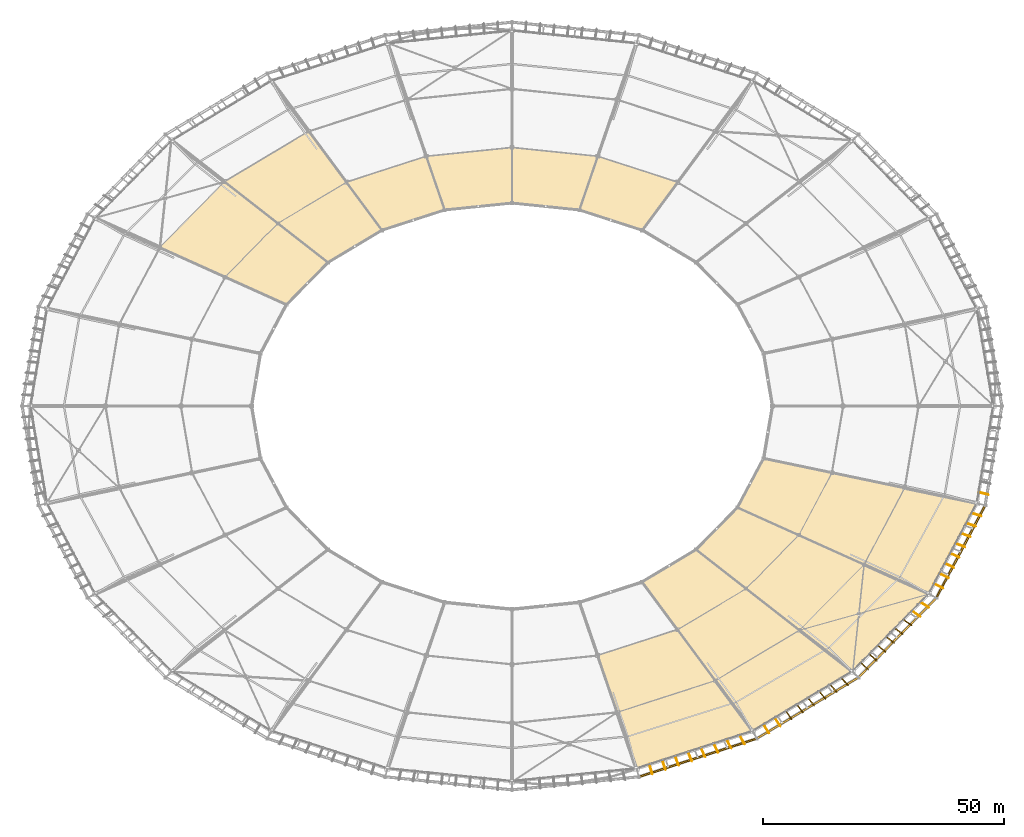
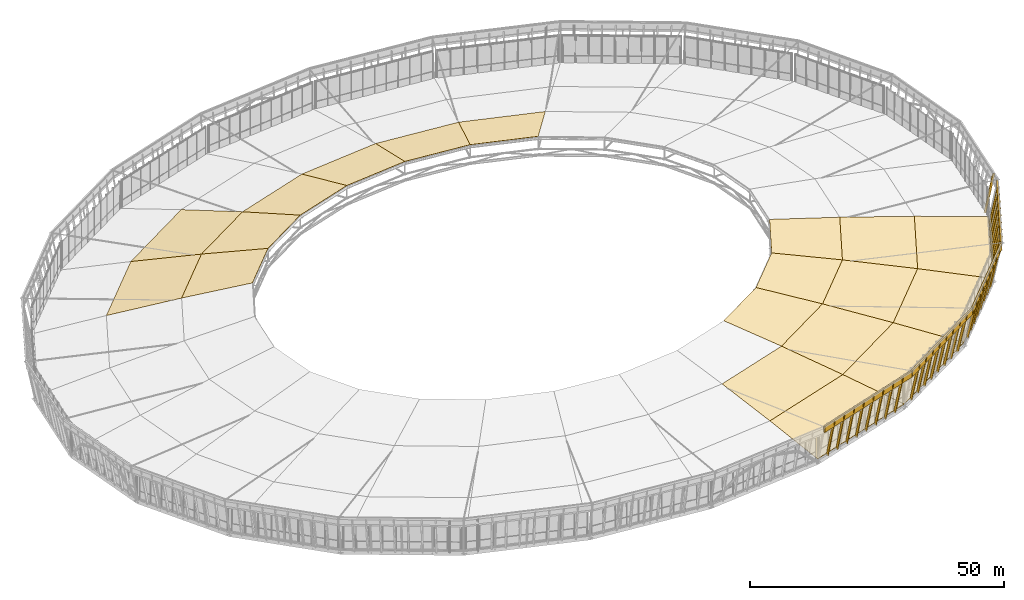
# One storey, part 113 of 115: 33 shading devices, 23 coverings, 5 elements without a shape of their own.
"""IFC4 building model written with IfcOpenShell, lengths in metres."""

from ifc_helpers import new_model, si_unit, direction, frame, origin, origin_2d, place, context, subcontext, project, spatial, polyline, rectangle, outline, extrude, material, layer, layer_set, material_profile, profile_set, type_object, element, aggregate, save


model = new_model("IFC4")

# Units and contexts
model_context = context("Model", 3, precision=1e-05, world=origin(), true_north=direction((0.0, 1.0)))
body_context = subcontext(model_context, "Body", "Model", "MODEL_VIEW")
ifc_project = project(units=[si_unit("LENGTHUNIT", "METRE"), si_unit("AREAUNIT", "SQUARE_METRE"), si_unit("VOLUMEUNIT", "CUBIC_METRE"), si_unit("PLANEANGLEUNIT", "RADIAN"), si_unit("MASSUNIT", "GRAM", prefix="KILO")], contexts=[model_context])

# Site, building, storey
site_placement = place(None, origin())
site = spatial("IfcSite", under=ifc_project, at=site_placement, CompositionType="ELEMENT")
building_placement = place(site_placement, origin())
building = spatial("IfcBuilding", under=site, at=building_placement, Name="Zlatoyarsky Gate Stadium", CompositionType="ELEMENT")
storey_placement = place(building_placement, frame((0.0, 0.0, 31.800048828125)))
storey = spatial("IfcBuildingStorey", under=building, at=storey_placement, Name="RF", CompositionType="ELEMENT", Elevation=31.800048828125)

# Coverings
ifc_material_1 = material(Name="Perforated stone-toned anodised aluminium fascia cladding", Category="masonry")
ifc_layer_1 = layer(ifc_material_1, 0.044921875)
ifc_layer_set_1 = layer_set([ifc_layer_1], Name="Perforated stone-toned anodised aluminium fascia cladding")
covering_type_1 = type_object("IfcCoveringType", Name="PERFORATED ANODISED CROWN FASCIA SCREEN 45", PredefinedType="CLADDING", material=ifc_layer_set_1)
covering_1_placement = place(storey_placement, frame((149.584228515625, 7.0009765625, 7.39990234375), z_axis=(0.0, 0.0, 1.0), x_axis=(0.951181318292, 0.30863262908, 0.0)))
element("IfcCovering", 1, at=covering_1_placement, inside=storey, type_object=covering_type_1, Name="RF crown perforated eaves fascia cladding sector 19", PredefinedType="CLADDING", context=body_context, shape_type="SweptSolid", body=[
    extrude(rectangle(XDim=25.548095703125, YDim=0.360107421875, at=origin_2d()), origin(), (0.0, 0.0, 1.0), 1.449951171875),
])
covering_2_placement = place(storey_placement, frame((172.378662109375, 17.314208984375, 7.39990234375), z_axis=(0.0, 0.0, 1.0), x_axis=(0.85708092378, 0.515181802952, 0.0)))
element("IfcCovering", 2, at=covering_2_placement, inside=storey, type_object=covering_type_1, Name="RF crown perforated eaves fascia cladding sector 20", PredefinedType="CLADDING", context=body_context, shape_type="SweptSolid", body=[
    extrude(rectangle(XDim=24.337890625, YDim=0.360107421875, at=origin_2d()), origin(), (0.0, 0.0, 1.0), 1.449951171875),
])
covering_3_placement = place(storey_placement, frame((190.989990234375, 31.899658203125, 7.39990234375), z_axis=(0.0, 0.0, 1.0), x_axis=(0.699762493402, 0.71437556847, 0.0)))
element("IfcCovering", 3, at=covering_3_placement, inside=storey, type_object=covering_type_1, Name="RF crown perforated eaves fascia cladding sector 21", PredefinedType="CLADDING", context=body_context, shape_type="SweptSolid", body=[
    extrude(rectangle(XDim=22.861572265625, YDim=0.360107421875, at=origin_2d()), origin(), (0.0, 0.0, 1.0), 1.449951171875),
])
covering_4_placement = place(storey_placement, frame((204.150390625, 49.7626953125, 7.39990234375), z_axis=(0.0, 0.0, 1.0), x_axis=(0.46744793664, 0.884020603001, 0.0)))
element("IfcCovering", 4, at=covering_4_placement, inside=storey, type_object=covering_type_1, Name="RF crown perforated eaves fascia cladding sector 22", PredefinedType="CLADDING", context=body_context, shape_type="SweptSolid", body=[
    extrude(rectangle(XDim=21.502197265625, YDim=0.360107421875, at=origin_2d()), origin(), (0.0, 0.0, 1.0), 1.449951171875),
])

# Shading devices
ifc_material_2 = material(Name="Precast concrete C40/50 stone-toned architectural rib", Category="masonry")
ifc_material_profile = material_profile(ifc_material_2, rectangle(XDim=0.179931640625, YDim=0.47998046875, at=origin_2d()), Name="RIB 180X480")
ifc_profile_set = profile_set([ifc_material_profile], Name="Precast concrete C40/50 stone-toned architectural rib")
shading_device_type = type_object("IfcShadingDeviceType", Name="PRECAST RIBBED BOWL LOUVRE FIN 180X480", PredefinedType="JALOUSIE", material=ifc_profile_set)
shading_device_1_placement = place(storey_placement, frame((139.569580078125, 5.497314453125, -0.35009765625), z_axis=(0.055914320744, -0.186951175945, 0.980776654773), x_axis=(0.958067182505, 0.286543668237, 0.0)))
element("IfcShadingDevice", 5, at=shading_device_1_placement, inside=storey, type_object=shading_device_type, Name="RF crown fluted louvre fin 19-1", PredefinedType="JALOUSIE", context=body_context, shape_type="SweptSolid", body=[
    extrude(rectangle(XDim=0.179931640625, YDim=0.47998046875, at=origin_2d()), origin(), (0.0, 0.0, 1.0), 9.278564453125),
])
shading_device_2_placement = place(storey_placement, frame((142.25, 6.36328125, -0.35009765625), z_axis=(0.061182829585, -0.184785302945, 0.980872597833), x_axis=(0.949316784402, 0.314320923346, 0.0)))
element("IfcShadingDevice", 6, at=shading_device_2_placement, inside=storey, type_object=shading_device_type, Name="RF crown fluted louvre fin 19-2", PredefinedType="JALOUSIE", context=body_context, shape_type="SweptSolid", body=[
    extrude(rectangle(XDim=0.179931640625, YDim=0.47998046875, at=origin_2d()), origin(), (0.0, 0.0, 1.0), 9.277587890625),
])
shading_device_3_placement = place(storey_placement, frame((144.9306640625, 7.2294921875, -0.35009765625), z_axis=(0.066423691876, -0.182638835823, 0.980933712749), x_axis=(0.939777607634, 0.341786553554, 0.0)))
element("IfcShadingDevice", 7, at=shading_device_3_placement, inside=storey, type_object=shading_device_type, Name="RF crown fluted louvre fin 19-3", PredefinedType="JALOUSIE", context=body_context, shape_type="SweptSolid", body=[
    extrude(rectangle(XDim=0.179931640625, YDim=0.47998046875, at=origin_2d()), origin(), (0.0, 0.0, 1.0), 9.27685546875),
])
for number, where, z_axis, x_axis, name in (
    (8, (147.611083984375, 8.095458984375, -0.35009765625), (0.071663248489, -0.180460850125, 0.980968022103), (0.92939922098, 0.369075992231, 0.0), "RF crown fluted louvre fin 19-4"),
    (9, (150.291748046875, 8.961669921875, -0.35009765625), (0.076926857499, -0.17827661057, 0.980968760318), (0.918167710581, 0.396191942431, 0.0), "RF crown fluted louvre fin 19-5"),
):
    element("IfcShadingDevice", number, at=place(storey_placement, frame(where, z_axis=z_axis, x_axis=x_axis)), inside=storey, type_object=shading_device_type, Name=name, PredefinedType="JALOUSIE", context=body_context, shape_type="SweptSolid", body=[
        extrude(rectangle(XDim=0.179931640625, YDim=0.47998046875, at=origin_2d()), origin(), (0.0, 0.0, 1.0), 9.276611328125),
    ])
shading_device_4_placement = place(storey_placement, frame((152.97216796875, 9.827880859375, -0.35009765625), z_axis=(0.082187424408, -0.1761121499, 0.980933095541), x_axis=(0.906179680524, 0.422892878404, 0.0)))
element("IfcShadingDevice", 10, at=shading_device_4_placement, inside=storey, type_object=shading_device_type, Name="RF crown fluted louvre fin 19-6", PredefinedType="JALOUSIE", context=body_context, shape_type="SweptSolid", body=[
    extrude(rectangle(XDim=0.179931640625, YDim=0.47998046875, at=origin_2d()), origin(), (0.0, 0.0, 1.0), 9.277099609375),
])
shading_device_5_placement = place(storey_placement, frame((155.652587890625, 10.69384765625, -0.35009765625), z_axis=(0.087419065717, -0.173917099736, 0.980872442965), x_axis=(0.89347884985, 0.449105271479, 0.0)))
element("IfcShadingDevice", 11, at=shading_device_5_placement, inside=storey, type_object=shading_device_type, Name="RF crown fluted louvre fin 19-7", PredefinedType="JALOUSIE", context=body_context, shape_type="SweptSolid", body=[
    extrude(rectangle(XDim=0.179931640625, YDim=0.47998046875, at=origin_2d()), origin(), (0.0, 0.0, 1.0), 9.277587890625),
])
for number, where, z_axis, x_axis, name in (
    (12, (158.333251953125, 11.56005859375, -0.35009765625), (0.092646659573, -0.17174233088, 0.980775799178), (0.880107141293, 0.474775125554, 0.0), "RF crown fluted louvre fin 19-8"),
    (13, (163.315673828125, 13.803955078125, -0.35009765625), (0.102382509598, -0.166111740707, 0.980777605437), (0.851292342658, 0.524691668823, 0.0), "RF crown fluted louvre fin 20-1"),
):
    element("IfcShadingDevice", number, at=place(storey_placement, frame(where, z_axis=z_axis, x_axis=x_axis)), inside=storey, type_object=shading_device_type, Name=name, PredefinedType="JALOUSIE", context=body_context, shape_type="SweptSolid", body=[
        extrude(rectangle(XDim=0.179931640625, YDim=0.47998046875, at=origin_2d()), origin(), (0.0, 0.0, 1.0), 9.278564453125),
    ])
shading_device_6_placement = place(storey_placement, frame((165.617431640625, 15.181640625, -0.35009765625), z_axis=(0.106918690451, -0.162654301175, 0.980873066172), x_axis=(0.835631015396, 0.549291185173, 0.0)))
element("IfcShadingDevice", 14, at=shading_device_6_placement, inside=storey, type_object=shading_device_type, Name="RF crown fluted louvre fin 20-2", PredefinedType="JALOUSIE", context=body_context, shape_type="SweptSolid", body=[
    extrude(rectangle(XDim=0.179931640625, YDim=0.47998046875, at=origin_2d()), origin(), (0.0, 0.0, 1.0), 9.277587890625),
])
shading_device_7_placement = place(storey_placement, frame((167.919189453125, 16.5595703125, -0.35009765625), z_axis=(0.111425669793, -0.159217123819, 0.980935384005), x_axis=(0.819295535964, 0.573371454425, 0.0)))
element("IfcShadingDevice", 15, at=shading_device_7_placement, inside=storey, type_object=shading_device_type, Name="RF crown fluted louvre fin 20-3", PredefinedType="JALOUSIE", context=body_context, shape_type="SweptSolid", body=[
    extrude(rectangle(XDim=0.179931640625, YDim=0.47998046875, at=origin_2d()), origin(), (0.0, 0.0, 1.0), 9.27685546875),
])
for number, where, z_axis, x_axis, name in (
    (16, (170.22119140625, 17.937255859375, -0.35009765625), (0.115929496283, -0.155774503633, 0.980966184896), (0.802222653972, 0.597024968871, 0.0), "RF crown fluted louvre fin 20-4"),
    (17, (172.52294921875, 19.31494140625, -0.35009765625), (0.120430217812, -0.152301064352, 0.980969392201), (0.784400255099, 0.620254979667, 0.0), "RF crown fluted louvre fin 20-5"),
):
    element("IfcShadingDevice", number, at=place(storey_placement, frame(where, z_axis=z_axis, x_axis=x_axis)), inside=storey, type_object=shading_device_type, Name=name, PredefinedType="JALOUSIE", context=body_context, shape_type="SweptSolid", body=[
        extrude(rectangle(XDim=0.179931640625, YDim=0.47998046875, at=origin_2d()), origin(), (0.0, 0.0, 1.0), 9.276611328125),
    ])
shading_device_8_placement = place(storey_placement, frame((174.82470703125, 20.69287109375, -0.35009765625), z_axis=(0.12495234775, -0.148848036831, 0.980933826883), x_axis=(0.765907568244, 0.642950695549, 0.0)))
element("IfcShadingDevice", 18, at=shading_device_8_placement, inside=storey, type_object=shading_device_type, Name="RF crown fluted louvre fin 20-6", PredefinedType="JALOUSIE", context=body_context, shape_type="SweptSolid", body=[
    extrude(rectangle(XDim=0.179931640625, YDim=0.47998046875, at=origin_2d()), origin(), (0.0, 0.0, 1.0), 9.27685546875),
])
shading_device_9_placement = place(storey_placement, frame((177.126708984375, 22.070556640625, -0.35009765625), z_axis=(0.12941870555, -0.145365784761, 0.98087694808), x_axis=(0.746886906655, 0.664951087424, 0.0)))
element("IfcShadingDevice", 19, at=shading_device_9_placement, inside=storey, type_object=shading_device_type, Name="RF crown fluted louvre fin 20-7", PredefinedType="JALOUSIE", context=body_context, shape_type="SweptSolid", body=[
    extrude(rectangle(XDim=0.179931640625, YDim=0.47998046875, at=origin_2d()), origin(), (0.0, 0.0, 1.0), 9.277587890625),
])
for number, where, z_axis, x_axis, name in (
    (20, (179.428466796875, 23.448486328125, -0.35009765625), (0.133930933581, -0.141929952011, 0.980774384735), (0.72730475479, 0.686314646252, 0.0), "RF crown fluted louvre fin 20-8"),
    (21, (183.496337890625, 26.621826171875, -0.35009765625), (0.141903669219, -0.133957274244, 0.980774590484), (0.68645326365, 0.727173924742, 0.0), "RF crown fluted louvre fin 21-1"),
):
    element("IfcShadingDevice", number, at=place(storey_placement, frame(where, z_axis=z_axis, x_axis=x_axis)), inside=storey, type_object=shading_device_type, Name=name, PredefinedType="JALOUSIE", context=body_context, shape_type="SweptSolid", body=[
        extrude(rectangle(XDim=0.179931640625, YDim=0.47998046875, at=origin_2d()), origin(), (0.0, 0.0, 1.0), 9.278564453125),
    ])
shading_device_10_placement = place(storey_placement, frame((185.2626953125, 28.417236328125, -0.35009765625), z_axis=(0.145365289642, -0.129444579969, 0.980873607191), x_axis=(0.66502650148, 0.74681975893, 0.0)))
element("IfcShadingDevice", 22, at=shading_device_10_placement, inside=storey, type_object=shading_device_type, Name="RF crown fluted louvre fin 21-2", PredefinedType="JALOUSIE", context=body_context, shape_type="SweptSolid", body=[
    extrude(rectangle(XDim=0.179931640625, YDim=0.47998046875, at=origin_2d()), origin(), (0.0, 0.0, 1.0), 9.277587890625),
])
shading_device_11_placement = place(storey_placement, frame((187.02880859375, 30.212890625, -0.35009765625), z_axis=(0.148848036831, -0.12495234775, 0.980933826883), x_axis=(0.642950695549, 0.765907568244, 0.0)))
element("IfcShadingDevice", 23, at=shading_device_11_placement, inside=storey, type_object=shading_device_type, Name="RF crown fluted louvre fin 21-3", PredefinedType="JALOUSIE", context=body_context, shape_type="SweptSolid", body=[
    extrude(rectangle(XDim=0.179931640625, YDim=0.47998046875, at=origin_2d()), origin(), (0.0, 0.0, 1.0), 9.27685546875),
])
for number, where, z_axis, x_axis, name in (
    (24, (188.795166015625, 32.00830078125, -0.35009765625), (0.152301064352, -0.120430217812, 0.980969392201), (0.620254979667, 0.784400255099, 0.0), "RF crown fluted louvre fin 21-4"),
    (25, (190.561279296875, 33.803955078125, -0.35009765625), (0.155774503633, -0.115929496283, 0.980966184896), (0.597024968871, 0.802222653972, 0.0), "RF crown fluted louvre fin 21-5"),
):
    element("IfcShadingDevice", number, at=place(storey_placement, frame(where, z_axis=z_axis, x_axis=x_axis)), inside=storey, type_object=shading_device_type, Name=name, PredefinedType="JALOUSIE", context=body_context, shape_type="SweptSolid", body=[
        extrude(rectangle(XDim=0.179931640625, YDim=0.47998046875, at=origin_2d()), origin(), (0.0, 0.0, 1.0), 9.276611328125),
    ])
shading_device_12_placement = place(storey_placement, frame((192.32763671875, 35.599609375, -0.35009765625), z_axis=(0.159217123819, -0.111425669793, 0.980935384005), x_axis=(0.573371454425, 0.819295535964, 0.0)))
element("IfcShadingDevice", 26, at=shading_device_12_placement, inside=storey, type_object=shading_device_type, Name="RF crown fluted louvre fin 21-6", PredefinedType="JALOUSIE", context=body_context, shape_type="SweptSolid", body=[
    extrude(rectangle(XDim=0.179931640625, YDim=0.47998046875, at=origin_2d()), origin(), (0.0, 0.0, 1.0), 9.27685546875),
])
shading_device_13_placement = place(storey_placement, frame((194.093994140625, 37.39501953125, -0.35009765625), z_axis=(0.162654758763, -0.106892675958, 0.980875825616), x_axis=(0.549196771849, 0.835693069129, 0.0)))
element("IfcShadingDevice", 27, at=shading_device_13_placement, inside=storey, type_object=shading_device_type, Name="RF crown fluted louvre fin 21-7", PredefinedType="JALOUSIE", context=body_context, shape_type="SweptSolid", body=[
    extrude(rectangle(XDim=0.179931640625, YDim=0.47998046875, at=origin_2d()), origin(), (0.0, 0.0, 1.0), 9.277587890625),
])
shading_device_14_placement = place(storey_placement, frame((195.860107421875, 39.190673828125, -0.35009765625), z_axis=(0.166111293154, -0.102408546326, 0.980774962938), x_axis=(0.524789382262, 0.851232109512, 0.0)))
element("IfcShadingDevice", 28, at=shading_device_14_placement, inside=storey, type_object=shading_device_type, Name="RF crown fluted louvre fin 21-8", PredefinedType="JALOUSIE", context=body_context, shape_type="SweptSolid", body=[
    extrude(rectangle(XDim=0.179931640625, YDim=0.47998046875, at=origin_2d()), origin(), (0.0, 0.0, 1.0), 9.278564453125),
])
shading_device_15_placement = place(storey_placement, frame((198.73681640625, 43.0771484375, -0.35009765625), z_axis=(0.17171679421, -0.092647078212, 0.980780230982), x_axis=(0.474831474978, 0.880076741183, 0.0)))
element("IfcShadingDevice", 29, at=shading_device_15_placement, inside=storey, type_object=shading_device_type, Name="RF crown fluted louvre fin 22-1", PredefinedType="JALOUSIE", context=body_context, shape_type="SweptSolid", body=[
    extrude(rectangle(XDim=0.179931640625, YDim=0.47998046875, at=origin_2d()), origin(), (0.0, 0.0, 1.0), 9.2783203125),
])
shading_device_16_placement = place(storey_placement, frame((199.846923828125, 45.168212890625, -0.35009765625), z_axis=(0.173942618792, -0.087418665602, 0.980867953535), x_axis=(0.44905102955, 0.89350611238, 0.0)))
element("IfcShadingDevice", 30, at=shading_device_16_placement, inside=storey, type_object=shading_device_type, Name="RF crown fluted louvre fin 22-2", PredefinedType="JALOUSIE", context=body_context, shape_type="SweptSolid", body=[
    extrude(rectangle(XDim=0.179931640625, YDim=0.47998046875, at=origin_2d()), origin(), (0.0, 0.0, 1.0), 9.277587890625),
])
shading_device_17_placement = place(storey_placement, frame((200.957275390625, 47.259033203125, -0.35009765625), z_axis=(0.176112530755, -0.082161285268, 0.980935216879), x_axis=(0.4227816734, 0.906231568992, 0.0)))
element("IfcShadingDevice", 31, at=shading_device_17_placement, inside=storey, type_object=shading_device_type, Name="RF crown fluted louvre fin 22-3", PredefinedType="JALOUSIE", context=body_context, shape_type="SweptSolid", body=[
    extrude(rectangle(XDim=0.179931640625, YDim=0.47998046875, at=origin_2d()), origin(), (0.0, 0.0, 1.0), 9.27685546875),
])
for number, where, z_axis, x_axis, name in (
    (32, (202.067626953125, 49.35009765625, -0.35009765625), (0.17830209172, -0.076926496546, 0.980964157458), (0.396142641461, 0.918188982517, 0.0), "RF crown fluted louvre fin 22-4"),
    (33, (203.177978515625, 51.441162109375, -0.35009765625), (0.180460509711, -0.071689431013, 0.980966171647), (0.369193060763, 0.929352723074, 0.0), "RF crown fluted louvre fin 22-5"),
):
    element("IfcShadingDevice", number, at=place(storey_placement, frame(where, z_axis=z_axis, x_axis=x_axis)), inside=storey, type_object=shading_device_type, Name=name, PredefinedType="JALOUSIE", context=body_context, shape_type="SweptSolid", body=[
        extrude(rectangle(XDim=0.179931640625, YDim=0.47998046875, at=origin_2d()), origin(), (0.0, 0.0, 1.0), 9.276611328125),
    ])
shading_device_18_placement = place(storey_placement, frame((204.288330078125, 53.531982421875, -0.35009765625), z_axis=(0.182613396654, -0.066424011119, 0.980938427277), x_axis=(0.34183005436, 0.939761785739, 0.0)))
element("IfcShadingDevice", 34, at=shading_device_18_placement, inside=storey, type_object=shading_device_type, Name="RF crown fluted louvre fin 22-6", PredefinedType="JALOUSIE", context=body_context, shape_type="SweptSolid", body=[
    extrude(rectangle(XDim=0.179931640625, YDim=0.47998046875, at=origin_2d()), origin(), (0.0, 0.0, 1.0), 9.27685546875),
])
shading_device_19_placement = place(storey_placement, frame((205.398681640625, 55.623046875, -0.35009765625), z_axis=(0.184785302945, -0.061182829585, 0.980872597833), x_axis=(0.314320923346, 0.949316784402, 0.0)))
element("IfcShadingDevice", 35, at=shading_device_19_placement, inside=storey, type_object=shading_device_type, Name="RF crown fluted louvre fin 22-7", PredefinedType="JALOUSIE", context=body_context, shape_type="SweptSolid", body=[
    extrude(rectangle(XDim=0.179931640625, YDim=0.47998046875, at=origin_2d()), origin(), (0.0, 0.0, 1.0), 9.277587890625),
])
for number, where, z_axis, x_axis, name in (
    (36, (206.5087890625, 57.714111328125, -0.35009765625), (0.186950900828, -0.055940551043, 0.980775211467), (0.286667433462, 0.958030157454, 0.0), "RF crown fluted louvre fin 22-8"),
    (37, (207.997802734375, 62.048828125, -0.35009765625), (0.189871551575, -0.045047130861, 0.980774974142), (0.23084267522, 0.972991089012, 0.0), "RF crown fluted louvre fin 23-1"),
):
    element("IfcShadingDevice", number, at=place(storey_placement, frame(where, z_axis=z_axis, x_axis=x_axis)), inside=storey, type_object=shading_device_type, Name=name, PredefinedType="JALOUSIE", context=body_context, shape_type="SweptSolid", body=[
        extrude(rectangle(XDim=0.179931640625, YDim=0.47998046875, at=origin_2d()), origin(), (0.0, 0.0, 1.0), 9.278564453125),
    ])

# Roof, coverings
ifc_material_3 = material(Name="Standing-seam aluminium-zinc roofing with mineral wool insulation", Category="aluminium")
ifc_layer_2 = layer(ifc_material_3, 0.080078125)
ifc_layer_set_2 = layer_set([ifc_layer_2], Name="Standing-seam aluminium-zinc roofing with mineral wool insulation")
roof_type = type_object("IfcRoofType", Name="STADIUM BARREL VAULT ROOF ASSEMBLY", PredefinedType="BARREL_ROOF", material=ifc_layer_set_2)
roof_1_placement = place(storey_placement, origin())
roof_1 = element("IfcRoof", 38, at=roof_1_placement, inside=storey, type_object=roof_type, Name="Stadium barrel arch roof sector 2", PredefinedType="BARREL_ROOF")
ifc_layer_3 = layer(ifc_material_3, 0.06005859375)
ifc_layer_set_3 = layer_set([ifc_layer_3], Name="Standing-seam aluminium-zinc roofing with mineral wool insulation")
covering_type_2 = type_object("IfcCoveringType", Name="STANDING SEAM ALUMINIUM ZINC ROOFING 60", PredefinedType="ROOFING", material=ifc_layer_set_3)
covering_5_placement = place(storey_placement, frame((145.369384765625, 126.436767578125, 6.81005859375), z_axis=(0.067758031107, 0.209707146145, 0.975413636401), x_axis=(-0.951560523066, 0.307461495055, -1.030491e-06)))
covering_5 = element("IfcCovering", 39, at=covering_5_placement, type_object=covering_type_2, Name="Stadium standing seam roofing sector 04 bay 3", PredefinedType="ROOFING", context=body_context, shape_type="SweptSolid", body=[
    extrude(outline(polyline([(0.0, 0.0), (17.42229735883615, 0.0), (17.637674146388235, 12.024213374428413), (3.9469601064556965, 12.024067892131605), (0.0, 0.0)])), origin(), (0.0, 0.0, -1.0), 0.06005859375),
])
covering_6_placement = place(storey_placement, frame((128.791015625, 131.79345703125, 6.81005859375), z_axis=(0.023082163871, 0.224749293914, 0.974143197172), x_axis=(-0.994767639203, 0.102163320197, 2.62367e-07)))
covering_6 = element("IfcCovering", 40, at=covering_6_placement, type_object=covering_type_2, Name="Stadium standing seam roofing sector 05 bay 3", PredefinedType="ROOFING", context=body_context, shape_type="SweptSolid", body=[
    extrude(outline(polyline([(0.0, 0.0), (17.884594163179372, -2.220446049250313e-16), (16.711188266952558, 11.728768464324467), (2.657670922679552, 11.728805553058613), (0.0, 0.0)])), origin(), (0.0, 0.0, -1.0), 0.06005859375),
])
aggregate(roof_1, [covering_5, covering_6])

roof_2_placement = place(storey_placement, origin())
roof_2 = element("IfcRoof", 41, at=roof_2_placement, inside=storey, type_object=roof_type, Name="Stadium barrel arch roof sector 3", PredefinedType="BARREL_ROOF")
covering_7_placement = place(storey_placement, frame((111.0, 133.62060546875, 6.81005859375), z_axis=(-0.023082163871, 0.224749293914, 0.974143197172), x_axis=(-0.994767639203, -0.102163320197, -2.62367e-07)))
covering_7 = element("IfcCovering", 42, at=covering_7_placement, type_object=covering_type_2, Name="Stadium standing seam roofing sector 06 bay 3", PredefinedType="ROOFING", context=body_context, shape_type="SweptSolid", body=[
    extrude(outline(polyline([(0.0, 0.0), (17.884594163179372, 2.220446049250313e-16), (15.22692324049982, 11.728805553058613), (1.1734058962268152, 11.728768464324467), (0.0, 0.0)])), origin(), (0.0, 0.0, -1.0), 0.06005859375),
])
covering_8_placement = place(storey_placement, frame((93.208984375, 131.79345703125, 6.81005859375), z_axis=(-0.067758031107, 0.209707146145, 0.975413636401), x_axis=(-0.951560523066, -0.307461495055, 1.030491e-06)))
covering_8 = element("IfcCovering", 43, at=covering_8_placement, type_object=covering_type_2, Name="Stadium standing seam roofing sector 07 bay 3", PredefinedType="ROOFING", context=body_context, shape_type="SweptSolid", body=[
    extrude(outline(polyline([(0.0, 0.0), (17.42229735883615, 0.0), (13.475337252380454, 12.024067892131606), (-0.21537678755208206, 12.024213374428413), (0.0, 0.0)])), origin(), (0.0, 0.0, -1.0), 0.06005859375),
])
covering_9_placement = place(storey_placement, frame((68.808349609375, 137.00537109375, 3.659912109375), z_axis=(-0.120203617004, 0.200821206827, 0.972225248257), x_axis=(-0.858036147249, -0.513589300914, 5.91224e-07)))
covering_9 = element("IfcCovering", 44, at=covering_9_placement, type_object=covering_type_2, Name="Stadium standing seam roofing sector 08 bay 2", PredefinedType="ROOFING", context=body_context, shape_type="SweptSolid", body=[
    extrude(outline(polyline([(0.0, 0.0), (20.367813062696413, -3.552713678800501e-15), (15.307838844274228, 13.45941398962338), (-1.2838631059696746, 13.459507352668387), (0.0, 0.0)])), origin(), (0.0, 0.0, -1.0), 0.06005859375),
])
covering_10_placement = place(storey_placement, frame((76.630615234375, 126.436767578125, 6.81005859375), z_axis=(-0.108033387963, 0.180488381017, 0.977626069314), x_axis=(-0.858038956174, -0.51358460811, -8.19339e-07)))
covering_10 = element("IfcCovering", 45, at=covering_10_placement, type_object=covering_type_2, Name="Stadium standing seam roofing sector 08 bay 3", PredefinedType="ROOFING", context=body_context, shape_type="SweptSolid", body=[
    extrude(outline(polyline([(0.0, 0.0), (16.59170195050538, -1.7763568394002505e-15), (11.82945229089854, 12.597611891195022), (-1.2082156918828852, 12.597496481387735), (0.0, 0.0)])), origin(), (0.0, 0.0, -1.0), 0.06005859375),
])
aggregate(roof_2, [covering_7, covering_8, covering_9, covering_10])

roof_3_placement = place(storey_placement, origin())
roof_3 = element("IfcRoof", 46, at=roof_3_placement, inside=storey, type_object=roof_type, Name="Stadium barrel arch roof sector 4", PredefinedType="BARREL_ROOF")
covering_11_placement = place(storey_placement, frame((51.33203125, 126.544677734375, 3.659912109375), z_axis=(-0.157163436364, 0.154599522261, 0.975396658794), x_axis=(-0.701267503741, -0.712898231304, 1.1819e-07)))
covering_11 = element("IfcCovering", 47, at=covering_11_placement, type_object=covering_type_2, Name="Stadium standing seam roofing sector 09 bay 2", PredefinedType="ROOFING", context=body_context, shape_type="SweptSolid", body=[
    extrude(outline(polyline([(0.0, 0.0), (19.122740669748183, 0.0), (13.971697741858534, 14.289147505340267), (-1.6058941288034378, 14.289166108712909), (0.0, 0.0)])), origin(), (0.0, 0.0, -1.0), 0.06005859375),
])
covering_12_placement = place(storey_placement, frame((62.394287109375, 117.91552734375, 6.81005859375), z_axis=(-0.141161010432, 0.138856723893, 0.980200173109), x_axis=(-0.701268194688, -0.712897551629, -1.130846e-06)))
covering_12 = element("IfcCovering", 48, at=covering_12_placement, type_object=covering_type_2, Name="Stadium standing seam roofing sector 09 bay 3", PredefinedType="ROOFING", context=body_context, shape_type="SweptSolid", body=[
    extrude(outline(polyline([(0.0, 0.0), (15.577591870662886, 0.0), (10.729505694934321, 13.38278848948377), (-1.5113145713340603, 13.382629616332784), (0.0, 0.0)])), origin(), (0.0, 0.0, -1.0), 0.06005859375),
])
aggregate(roof_3, [covering_11, covering_12])

roof_4_placement = place(storey_placement, origin())
roof_4 = element("IfcRoof", 49, at=roof_4_placement, inside=storey, type_object=roof_type, Name="Stadium barrel arch roof sector 7", PredefinedType="BARREL_ROOF")
covering_13_placement = place(storey_placement, frame((136.88916015625, 4.631103515625, 0.260009765625), z_axis=(0.080926633941, -0.25045970369, 0.964738729785), x_axis=(0.951561589275, 0.307458195234, -8.16732e-07)))
covering_13 = element("IfcCovering", 50, at=covering_13_placement, type_object=covering_type_2, Name="Stadium standing seam roofing sector 19 bay 1", PredefinedType="ROOFING", context=body_context, shape_type="SweptSolid", body=[
    extrude(outline(polyline([(0.0, 0.0), (25.352803638085895, 0.0), (21.158837114479507, 12.91716689231748), (-0.22875091544180007, 12.917021858119801), (0.0, 0.0)])), origin(), (0.0, 0.0, -1.0), 0.06005859375),
])
covering_14_placement = place(storey_placement, frame((132.840087890625, 16.418701171875, 3.659912109375), z_axis=(0.075351968542, -0.233204753285, 0.969503802923), x_axis=(0.951559522359, 0.30746459212, 3.31256e-07)))
covering_14 = element("IfcCovering", 51, at=covering_14_placement, type_object=covering_type_2, Name="Stadium standing seam roofing sector 19 bay 2", PredefinedType="ROOFING", context=body_context, shape_type="SweptSolid", body=[
    extrude(outline(polyline([(0.0, 0.0), (21.387588030422577, 1.7763568394002505e-15), (17.193709101244803, 12.853716278917284), (-0.22858825752056824, 12.853768736129387), (0.0, 0.0)])), origin(), (0.0, 0.0, -1.0), 0.06005859375),
])
covering_15_placement = place(storey_placement, frame((161.013916015625, 12.426025390625, 0.260009765625), z_axis=(0.129152879329, -0.215770189277, 0.967865052154), x_axis=(0.8580340905, 0.51359273704, 4.42967e-07)))
covering_15 = element("IfcCovering", 52, at=covering_15_placement, type_object=covering_type_2, Name="Stadium standing seam roofing sector 20 bay 1", PredefinedType="ROOFING", context=body_context, shape_type="SweptSolid", body=[
    extrude(outline(polyline([(0.0, 0.0), (24.1439241753555, 0.0), (19.08400200367485, 13.520068961575209), (-1.2838110588714116, 13.520147369410287), (0.0, 0.0)])), origin(), (0.0, 0.0, -1.0), 0.06005859375),
])
covering_16_placement = place(storey_placement, frame((153.191650390625, 22.99462890625, 3.659912109375), z_axis=(0.120203617004, -0.200821206827, 0.972225248257), x_axis=(0.858036147249, 0.513589300914, 5.91224e-07)))
covering_16 = element("IfcCovering", 53, at=covering_16_placement, type_object=covering_type_2, Name="Stadium standing seam roofing sector 20 bay 2", PredefinedType="ROOFING", context=body_context, shape_type="SweptSolid", body=[
    extrude(outline(polyline([(0.0, 0.0), (20.367813062696413, -3.552713678800501e-15), (15.307838844274228, 13.45941398962338), (-1.2838631059696746, 13.459507352668387), (0.0, 0.0)])), origin(), (0.0, 0.0, -1.0), 0.06005859375),
])
covering_17_placement = place(storey_placement, frame((145.369384765625, 33.563232421875, 6.81005859375), z_axis=(0.108033387963, -0.180488381017, 0.977626069314), x_axis=(0.858038956174, 0.51358460811, -8.19339e-07)))
covering_17 = element("IfcCovering", 54, at=covering_17_placement, type_object=covering_type_2, Name="Stadium standing seam roofing sector 20 bay 3", PredefinedType="ROOFING", context=body_context, shape_type="SweptSolid", body=[
    extrude(outline(polyline([(0.0, 0.0), (16.59170195050538, -1.7763568394002505e-15), (11.82945229089854, 12.597611891195022), (-1.2082156918828852, 12.597496481387735), (0.0, 0.0)])), origin(), (0.0, 0.0, -1.0), 0.06005859375),
])
aggregate(roof_4, [covering_13, covering_14, covering_15, covering_16, covering_17])

roof_5_placement = place(storey_placement, origin())
roof_5 = element("IfcRoof", 55, at=roof_5_placement, inside=storey, type_object=roof_type, Name="Stadium barrel arch roof sector 8", PredefinedType="BARREL_ROOF")
covering_18_placement = place(storey_placement, frame((181.730224609375, 24.826171875, 0.260009765625), z_axis=(0.168948625829, -0.166192117478, 0.971512502194), x_axis=(0.701266900285, 0.712898824915, 8.8643e-08)))
covering_18 = element("IfcCovering", 56, at=covering_18_placement, type_object=covering_type_2, Name="Stadium standing seam roofing sector 21 bay 1", PredefinedType="ROOFING", context=body_context, shape_type="SweptSolid", body=[
    extrude(outline(polyline([(0.0, 0.0), (22.667889468842993, 0.0), (17.5168582679546, 14.346280713684152), (-1.6058824017872195, 14.346296345083728), (0.0, 0.0)])), origin(), (0.0, 0.0, -1.0), 0.06005859375),
])
covering_19_placement = place(storey_placement, frame((170.66796875, 33.455322265625, 3.659912109375), z_axis=(0.157163436364, -0.154599522261, 0.975396658794), x_axis=(0.701267503741, 0.712898231304, 1.1819e-07)))
covering_19 = element("IfcCovering", 57, at=covering_19_placement, type_object=covering_type_2, Name="Stadium standing seam roofing sector 21 bay 2", PredefinedType="ROOFING", context=body_context, shape_type="SweptSolid", body=[
    extrude(outline(polyline([(0.0, 0.0), (19.122740669748183, 0.0), (13.971697741858534, 14.289147505340267), (-1.6058941288034378, 14.289166108712909), (0.0, 0.0)])), origin(), (0.0, 0.0, -1.0), 0.06005859375),
])
covering_20_placement = place(storey_placement, frame((159.605712890625, 42.08447265625, 6.81005859375), z_axis=(0.141161010432, -0.138856723893, 0.980200173109), x_axis=(0.701268194688, 0.712897551629, -1.130846e-06)))
covering_20 = element("IfcCovering", 58, at=covering_20_placement, type_object=covering_type_2, Name="Stadium standing seam roofing sector 21 bay 3", PredefinedType="ROOFING", context=body_context, shape_type="SweptSolid", body=[
    extrude(outline(polyline([(0.0, 0.0), (15.577591870662886, 0.0), (10.729505694934321, 13.38278848948377), (-1.5113145713340603, 13.382629616332784), (0.0, 0.0)])), origin(), (0.0, 0.0, -1.0), 0.06005859375),
])
covering_21_placement = place(storey_placement, frame((197.62646484375, 40.986083984375, 0.260009765625), z_axis=(0.197393520935, -0.104815476231, 0.974704834212), x_axis=(0.468978328534, 0.8832096735, 7.78726e-07)))
covering_21 = element("IfcCovering", 59, at=covering_21_placement, type_object=covering_type_2, Name="Stadium standing seam roofing sector 22 bay 1", PredefinedType="ROOFING", context=body_context, shape_type="SweptSolid", body=[
    extrude(outline(polyline([(0.0, 0.0), (21.30733667960491, 3.552713678800501e-15), (17.010139596106686, 15.212300335087066), (-0.9647004759132345, 15.21243720578129), (0.0, 0.0)])), origin(), (0.0, 0.0, -1.0), 0.06005859375),
])
covering_22_placement = place(storey_placement, frame((184.078125, 47.087890625, 3.659912109375), z_axis=(0.183541042483, -0.097459660481, 0.97816885061), x_axis=(0.46898487922, 0.883206195099, -1.019999e-06)))
covering_22 = element("IfcCovering", 60, at=covering_22_placement, type_object=covering_type_2, Name="Stadium standing seam roofing sector 22 bay 2", PredefinedType="ROOFING", context=body_context, shape_type="SweptSolid", body=[
    extrude(outline(polyline([(0.0, 0.0), (17.97484007253932, 0.0), (13.67762828224083, 15.158725632562989), (-0.9648163121027542, 15.15856553760574), (0.0, 0.0)])), origin(), (0.0, 0.0, -1.0), 0.06005859375),
])
covering_23_placement = place(storey_placement, frame((170.52978515625, 53.189697265625, 6.81005859375), z_axis=(0.164762027399, -0.087486990583, 0.982445673208), x_axis=(0.468975230927, 0.883211318302, 1.93843e-07)))
covering_23 = element("IfcCovering", 61, at=covering_23_placement, type_object=covering_type_2, Name="Stadium standing seam roofing sector 22 bay 3", PredefinedType="ROOFING", context=body_context, shape_type="SweptSolid", body=[
    extrude(outline(polyline([(0.0, 0.0), (14.642444595230506, 1.7763568394002505e-15), (10.597969750987318, 14.204854700251184), (-0.9079087809841343, 14.204881870937056), (0.0, 0.0)])), origin(), (0.0, 0.0, -1.0), 0.06005859375),
])
aggregate(roof_5, [covering_18, covering_19, covering_20, covering_21, covering_22, covering_23])

save(model, "model.ifc")
